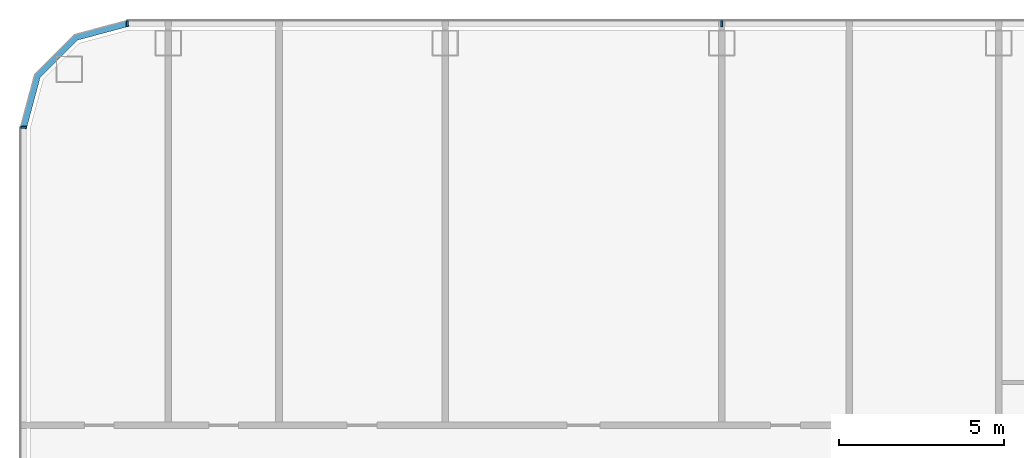
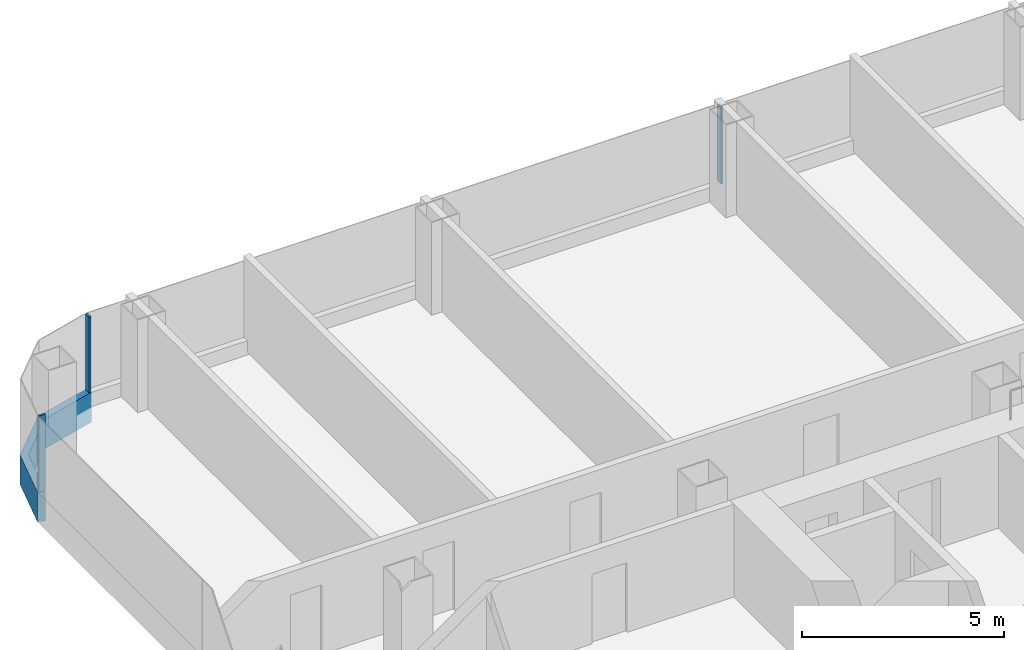
# One storey, part 7 of 29: 4 members, 3 elements without a shape of their own.
"""IFC4 building model written with IfcOpenShell, lengths in metres."""

from ifc_helpers import new_model, si_unit, direction, frame, origin, origin_2d, place, context, subcontext, project, spatial, polyline, rectangle, outline, extrude, material, layer, layer_set, material_profile, profile_set, type_object, element, aggregate, save


model = new_model("IFC4")

# Units and contexts
model_context = context("Model", 3, precision=1e-05, world=origin(), true_north=direction((0.0, 1.0)))
body_context = subcontext(model_context, "Body", "Model", "MODEL_VIEW")
ifc_project = project(units=[si_unit("LENGTHUNIT", "METRE"), si_unit("AREAUNIT", "SQUARE_METRE"), si_unit("VOLUMEUNIT", "CUBIC_METRE"), si_unit("PLANEANGLEUNIT", "RADIAN"), si_unit("MASSUNIT", "GRAM", prefix="KILO")], contexts=[model_context])

# Site, building, storey
site_placement = place(None, origin())
site = spatial("IfcSite", under=ifc_project, at=site_placement, CompositionType="ELEMENT")
building_placement = place(site_placement, origin())
building = spatial("IfcBuilding", under=site, at=building_placement, Name="Hakoniwa Tower and Hamabe Station Hall", CompositionType="ELEMENT")
storey_placement = place(building_placement, frame((0.0, 0.0, 104.199951171875)))
storey = spatial("IfcBuildingStorey", under=building, at=storey_placement, Name="L29", CompositionType="ELEMENT", Elevation=104.199951171875)

# Curtain wall, member
ifc_material_1 = material(Name="Dark low-e laminated glass", Category="glass")
ifc_layer = layer(ifc_material_1, 0.199951171875)
ifc_layer_set = layer_set([ifc_layer], Name="CW-1 UNITISED GUEST")
curtain_wall_type = type_object("IfcCurtainWallType", Name="CW-1 UNITISED GUEST", PredefinedType="NOTDEFINED", material=ifc_layer_set)
curtain_wall_1_placement = place(storey_placement, origin())
curtain_wall_1 = element("IfcCurtainWall", 1, at=curtain_wall_1_placement, inside=storey, type_object=curtain_wall_type, Name="CW-1 curtain wall", PredefinedType="NOTDEFINED")
ifc_material_2 = material(Name="Aluminium 6063-T5 black anodised", Category="aluminium")
ifc_material_profile_1 = material_profile(ifc_material_2, rectangle(XDim=0.199951171875, YDim=0.89990234375, at=origin_2d()), Name="CW SLAB-EDGE BAND 900X200")
ifc_profile_set_1 = profile_set([ifc_material_profile_1], Name="Aluminium 6063-T5 black anodised")
member_type_1 = type_object("IfcMemberType", Name="CW SLAB-EDGE BAND 900X200", PredefinedType="USERDEFINED", material=ifc_profile_set_1)
member_1_placement = place(storey_placement, frame((0.0, 0.0, -0.550048828125)))
member_1 = element("IfcMember", 2, at=member_1_placement, type_object=member_type_1, Name="CW-1 transom", ObjectType="TRANSOM", PredefinedType="USERDEFINED", context=body_context, shape_type="SweptSolid", body=[
    extrude(outline(polyline([(-43.239501953125, 23.550048828125), (-44.855224609375, 23.116943359375), (-46.067138671875, 21.9052734375), (-46.5, 20.28955078125), (-46.306884765625, 20.23779296875), (-45.8876953125, 21.8017578125), (-44.751708984375, 22.937744140625), (-43.187744140625, 23.35693359375), (-43.239501953125, 23.550048828125)])), origin(), (0.0, 0.0, 1.0), 0.900146484375),
])
aggregate(curtain_wall_1, [member_1])

# Curtain wall, members
curtain_wall_2_placement = place(storey_placement, origin())
curtain_wall_2 = element("IfcCurtainWall", 3, at=curtain_wall_2_placement, inside=storey, type_object=curtain_wall_type, Name="CW-1 curtain wall", PredefinedType="NOTDEFINED")
ifc_material_3 = material(Name="Aluminium 6063-T5 black anodised", Category="aluminium")
ifc_material_profile_2 = material_profile(ifc_material_3, rectangle(XDim=0.06005859375, YDim=0.179931640625, at=origin_2d()), Name="CW-1 MULLION 60X180")
ifc_profile_set_2 = profile_set([ifc_material_profile_2], Name="Aluminium 6063-T5 black anodised")
member_type_2 = type_object("IfcMemberType", Name="CW-1 MULLION 60X180", PredefinedType="MULLION", material=ifc_profile_set_2)
member_2_placement = place(storey_placement, frame((-25.199951171875, 23.431884765625, 0.35009765625), z_axis=(0.0, 0.0, 1.0), x_axis=(-1.0, 0.0, 0.0)))
member_2 = element("IfcMember", 4, at=member_2_placement, type_object=member_type_2, Name="CW-1 mullion", PredefinedType="MULLION", context=body_context, shape_type="SweptSolid", body=[
    extrude(rectangle(XDim=0.06005859375, YDim=0.179931640625, at=origin_2d()), origin(), (0.0, 0.0, 1.0), 2.300048828125),
])
member_3_placement = place(storey_placement, frame((-43.239501953125, 23.431884765625, 0.35009765625), z_axis=(0.0, 0.0, 1.0), x_axis=(-1.0, 0.0, 0.0)))
member_3 = element("IfcMember", 5, at=member_3_placement, type_object=member_type_2, Name="CW-1 mullion", PredefinedType="MULLION", context=body_context, shape_type="SweptSolid", body=[
    extrude(rectangle(XDim=0.06005859375, YDim=0.179931640625, at=origin_2d()), origin(), (0.0, 0.0, 1.0), 2.300048828125),
])
aggregate(curtain_wall_2, [member_2, member_3])

# Curtain wall, member
curtain_wall_3_placement = place(storey_placement, origin())
curtain_wall_3 = element("IfcCurtainWall", 6, at=curtain_wall_3_placement, inside=storey, type_object=curtain_wall_type, Name="CW-1 curtain wall", PredefinedType="NOTDEFINED")
member_4_placement = place(storey_placement, frame((-46.382080078125, 20.28955078125, 0.35009765625), z_axis=(0.0, 0.0, 1.0), x_axis=(0.0, -1.0, 0.0)))
member_4 = element("IfcMember", 7, at=member_4_placement, type_object=member_type_2, Name="CW-1 mullion", PredefinedType="MULLION", context=body_context, shape_type="SweptSolid", body=[
    extrude(rectangle(XDim=0.06005859375, YDim=0.179931640625, at=origin_2d()), origin(), (0.0, 0.0, 1.0), 2.300048828125),
])
aggregate(curtain_wall_3, [member_4])

save(model, "model.ifc")
